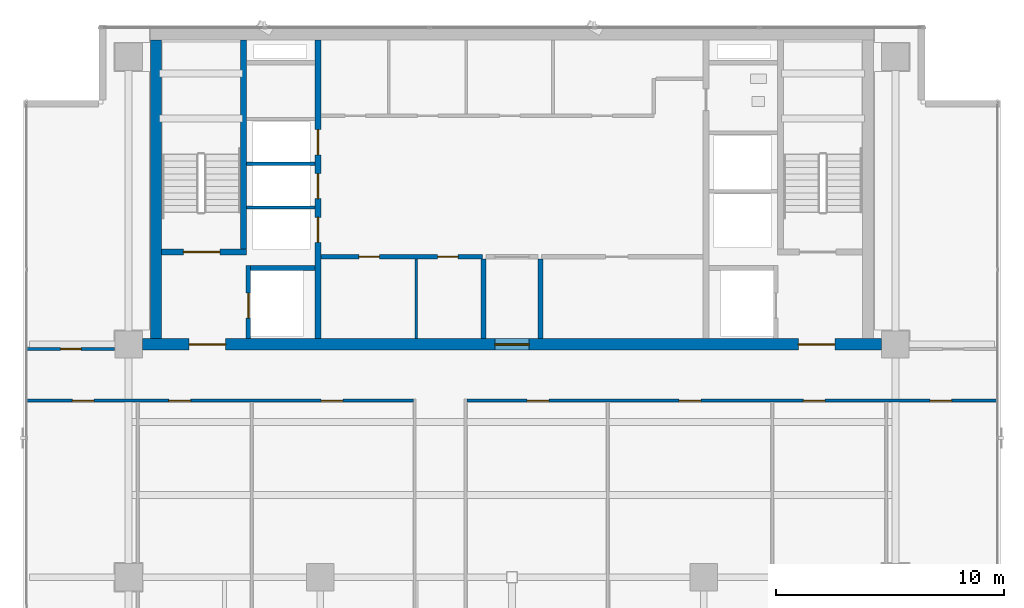
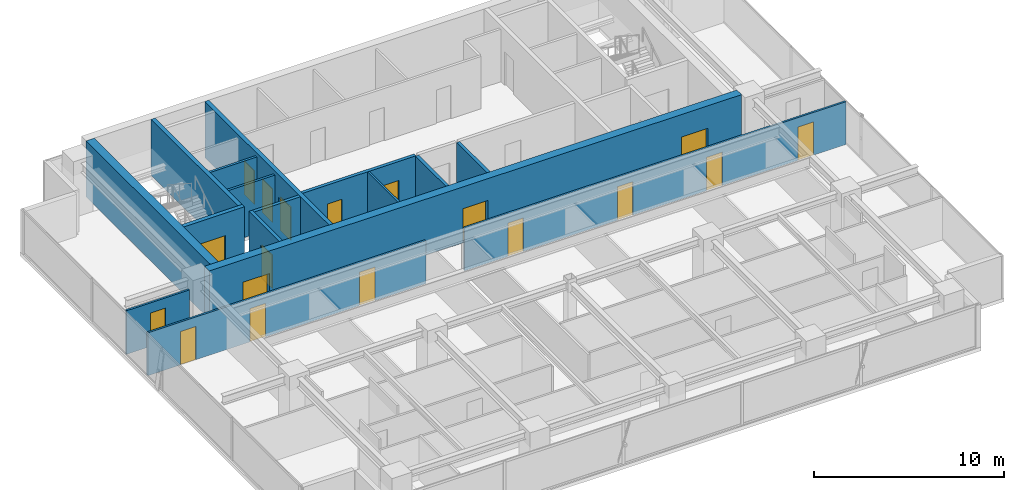
# One storey, part 16 of 23: 18 doors, 16 walls, 18 openings.
"""IFC4 building model written with IfcOpenShell, lengths in metres."""

from ifc_helpers import new_model, si_unit, direction, frame, frame_2d, origin, place, context, subcontext, project, spatial, rectangle, extrude, source, transform, mapped, material, layer, layer_set, type_object, element, fill, save


model = new_model("IFC4")

# Units and contexts
model_context = context("Model", 3, precision=1e-05, world=origin(), true_north=direction((0.0, 1.0)))
body_context = subcontext(model_context, "Body", "Model", "MODEL_VIEW")
ifc_project = project(units=[si_unit("LENGTHUNIT", "METRE"), si_unit("AREAUNIT", "SQUARE_METRE"), si_unit("VOLUMEUNIT", "CUBIC_METRE"), si_unit("PLANEANGLEUNIT", "RADIAN"), si_unit("MASSUNIT", "GRAM", prefix="KILO")], contexts=[model_context])

# Site, building, storey
site_placement = place(None, origin())
site = spatial("IfcSite", under=ifc_project, at=site_placement, CompositionType="ELEMENT")
building_placement = place(site_placement, origin())
building = spatial("IfcBuilding", under=site, at=building_placement, Name="Sumidabori Civic Tower", CompositionType="ELEMENT")
storey_placement = place(building_placement, frame((0.0, 0.0, 275.60009765625)))
storey = spatial("IfcBuildingStorey", under=building, at=storey_placement, Name="L72", CompositionType="ELEMENT", Elevation=275.60009765625)

# Walls
ifc_material_1 = material(Name="Concrete C50/60", Category="concrete")
ifc_layer_1 = layer(ifc_material_1, 0.199951171875, Name="Concrete C50/60")
ifc_layer_set_1 = layer_set([ifc_layer_1], Name="Concrete C50/60")
wall_type_1 = type_object("IfcWallType", Name="WL-SHAFT-200", PredefinedType="SHEAR", material=ifc_layer_set_1)
shared_shape_1 = source(origin(), body_context, "Body", "SweptSolid", [
    extrude(rectangle(XDim=2.824951171875, YDim=0.199951171875, at=frame_2d((1.41259765625, 0.0))), origin(), (0.0, 0.0, 1.0), 3.599853515625),
])
wall_1_placement = place(storey_placement, frame((-11.449951171875, 13.550048828125, 0.0), z_axis=(0.0, 0.0, 1.0), x_axis=(1.0, 0.0, 0.0)))
element("IfcWall", 1, at=wall_1_placement, inside=storey, type_object=wall_type_1, Name="Core Shear Wall L72 EL1-N", PredefinedType="SHEAR", context=body_context, shape_type="MappedRepresentation", body=[
    mapped(shared_shape_1, transform((0.0, 0.0, 0.0), x_axis=(1.0, 0.0, 0.0), y_axis=(0.0, 1.0, 0.0), z_axis=(0.0, 0.0, 1.0), scale=1.0)),
])
ifc_layer_2 = layer(ifc_material_1, 0.5, Name="Concrete C50/60")
ifc_layer_set_2 = layer_set([ifc_layer_2], Name="Concrete C50/60")
wall_type_2 = type_object("IfcWallType", Name="WL-CORE-500", PredefinedType="SHEAR", material=ifc_layer_set_2)
shared_shape_2 = source(origin(), body_context, "Body", "SweptSolid", [
    extrude(rectangle(XDim=13.10009765625, YDim=0.5, at=frame_2d((6.550048828125, 0.0))), origin(), (0.0, 0.0, 1.0), 3.599853515625),
])
wall_2_placement = place(storey_placement, frame((-15.60009765625, 10.449951171875, 0.0), z_axis=(0.0, 0.0, 1.0), x_axis=(0.0, 1.0, 0.0)))
element("IfcWall", 2, at=wall_2_placement, inside=storey, type_object=wall_type_2, Name="Core Shear Wall L72 W", PredefinedType="SHEAR", context=body_context, shape_type="MappedRepresentation", body=[
    mapped(shared_shape_2, transform((0.0, 0.0, 0.0), x_axis=(1.0, 0.0, 0.0), y_axis=(0.0, 1.0, 0.0), z_axis=(0.0, 0.0, 1.0), scale=1.0)),
])

# Wall, openings, doors
ifc_layer_3 = layer(ifc_material_1, 0.25, Name="Concrete C50/60")
ifc_layer_set_3 = layer_set([ifc_layer_3], Name="Concrete C50/60")
wall_type_3 = type_object("IfcWallType", Name="WL-SHAFT-250", PredefinedType="SHEAR", material=ifc_layer_set_3)
shared_shape_3 = source(origin(), body_context, "Body", "SweptSolid", [
    extrude(rectangle(XDim=13.10009765625, YDim=0.25, at=frame_2d((6.550048828125, 0.0))), origin(), (0.0, 0.0, 1.0), 3.599853515625),
])
wall_3_placement = place(storey_placement, frame((-8.5, 10.449951171875, 0.0), z_axis=(0.0, 0.0, 1.0), x_axis=(0.0, 1.0, 0.0)))
wall_3 = element("IfcWall", 3, at=wall_3_placement, inside=storey, type_object=wall_type_3, Name="Core Shear Wall L72 WEB-W", PredefinedType="SHEAR", context=body_context, shape_type="MappedRepresentation", body=[
    mapped(shared_shape_3, transform((0.0, 0.0, 0.0), x_axis=(1.0, 0.0, 0.0), y_axis=(0.0, 1.0, 0.0), z_axis=(0.0, 0.0, 1.0), scale=1.0)),
])
opening_1_placement = place(wall_3_placement, frame((4.219970703125, 0.0, 0.0)))
opening_1 = element("IfcOpeningElement", 4, at=opening_1_placement, cuts=wall_3, Name="Opening LD-1", PredefinedType="OPENING", context=body_context, shape_type="SweptSolid", body=[
    extrude(rectangle(XDim=1.10009765625, YDim=2.14990234375, at=frame_2d((0.550048828125, 1.074951171875))), frame((0.0, 0.136962890625, 0.0), z_axis=(0.0, -1.0, 0.0), x_axis=(1.0, 0.0, 0.0)), (0.0, 0.0, 1.0), 0.27392578125),
])
opening_2_placement = place(wall_3_placement, frame((6.139892578125, 0.0, 0.0)))
opening_2 = element("IfcOpeningElement", 5, at=opening_2_placement, cuts=wall_3, Name="Opening LD-1", PredefinedType="OPENING", context=body_context, shape_type="SweptSolid", body=[
    extrude(rectangle(XDim=1.10009765625, YDim=2.14990234375, at=frame_2d((0.550048828125, 1.074951171875))), frame((0.0, 0.136962890625, 0.0), z_axis=(0.0, -1.0, 0.0), x_axis=(1.0, 0.0, 0.0)), (0.0, 0.0, 1.0), 0.27392578125),
])
opening_3_placement = place(wall_3_placement, frame((8.06005859375, 0.0, 0.0)))
opening_3 = element("IfcOpeningElement", 6, at=opening_3_placement, cuts=wall_3, Name="Opening LD-1", PredefinedType="OPENING", context=body_context, shape_type="SweptSolid", body=[
    extrude(rectangle(XDim=1.10009765625, YDim=2.14990234375, at=frame_2d((0.550048828125, 1.074951171875))), frame((0.0, 0.136962890625, 0.0), z_axis=(0.0, -1.0, 0.0), x_axis=(1.0, 0.0, 0.0)), (0.0, 0.0, 1.0), 0.27392578125),
])
ifc_material_2 = material(Name="Stainless Steel Hairline Finish", Category="steel")
door_type_1 = type_object("IfcDoorType", Name="DR-LD1", OperationType="DOUBLE_DOOR_SLIDING", PredefinedType="DOOR", material=ifc_material_2)
shared_shape_4 = source(origin(), body_context, "Body", "SweptSolid", [
    extrude(rectangle(XDim=1.10009765625, YDim=2.14990234375, at=frame_2d((0.550048828125, 1.074951171875))), frame((0.0, 0.02490234375, 0.0), z_axis=(0.0, -1.0, 0.0), x_axis=(1.0, 0.0, 0.0)), (0.0, 0.0, 1.0), 0.050048828125),
])
door_1_placement = place(opening_1_placement, origin())
door_1 = element("IfcDoor", 7, at=door_1_placement, inside=storey, type_object=door_type_1, Name="Door DR:L72:LD-PLH1", OperationType="DOUBLE_DOOR_SLIDING", OverallHeight=2.14990234375, OverallWidth=1.10009765625, PredefinedType="DOOR", context=body_context, shape_type="MappedRepresentation", body=[
    mapped(shared_shape_4, transform((0.0, 0.0, 0.0), x_axis=(1.0, 0.0, 0.0), y_axis=(0.0, 1.0, 0.0), z_axis=(0.0, 0.0, 1.0), scale=1.0)),
])
fill(opening_1, door_1)
door_2_placement = place(opening_2_placement, origin())
door_2 = element("IfcDoor", 8, at=door_2_placement, inside=storey, type_object=door_type_1, Name="Door DR:L72:LD-PLH2", OperationType="DOUBLE_DOOR_SLIDING", OverallHeight=2.14990234375, OverallWidth=1.10009765625, PredefinedType="DOOR", context=body_context, shape_type="MappedRepresentation", body=[
    mapped(shared_shape_4, transform((0.0, 0.0, 0.0), x_axis=(1.0, 0.0, 0.0), y_axis=(0.0, 1.0, 0.0), z_axis=(0.0, 0.0, 1.0), scale=1.0)),
])
fill(opening_2, door_2)
door_3_placement = place(opening_3_placement, origin())
door_3 = element("IfcDoor", 9, at=door_3_placement, inside=storey, type_object=door_type_1, Name="Door DR:L72:LD-PLH3", OperationType="DOUBLE_DOOR_SLIDING", OverallHeight=2.14990234375, OverallWidth=1.10009765625, PredefinedType="DOOR", context=body_context, shape_type="MappedRepresentation", body=[
    mapped(shared_shape_4, transform((0.0, 0.0, 0.0), x_axis=(1.0, 0.0, 0.0), y_axis=(0.0, 1.0, 0.0), z_axis=(0.0, 0.0, 1.0), scale=1.0)),
])
fill(opening_3, door_3)

# Wall, opening, door
shared_shape_5 = source(origin(), body_context, "Body", "SweptSolid", [
    extrude(rectangle(XDim=3.705078125, YDim=0.25, at=frame_2d((1.8525390625, 0.0))), origin(), (0.0, 0.0, 1.0), 3.599853515625),
])
wall_4_placement = place(storey_placement, frame((-15.35009765625, 14.25, 0.0), z_axis=(0.0, 0.0, 1.0), x_axis=(1.0, 0.0, 0.0)))
wall_4 = element("IfcWall", 10, at=wall_4_placement, inside=storey, type_object=wall_type_3, Name="Core Shear Wall L72 ST1-S", PredefinedType="SHEAR", context=body_context, shape_type="MappedRepresentation", body=[
    mapped(shared_shape_5, transform((0.0, 0.0, 0.0), x_axis=(1.0, 0.0, 0.0), y_axis=(0.0, 1.0, 0.0), z_axis=(0.0, 0.0, 1.0), scale=1.0)),
])
opening_4_placement = place(wall_4_placement, frame((0.949951171875, 0.0, 0.0)))
opening_4 = element("IfcOpeningElement", 11, at=opening_4_placement, cuts=wall_4, Name="Opening DR-FD4", PredefinedType="OPENING", context=body_context, shape_type="SweptSolid", body=[
    extrude(rectangle(XDim=1.60009765625, YDim=2.14990234375, at=frame_2d((0.800048828125, 1.074951171875))), frame((0.0, 0.136962890625, 0.0), z_axis=(0.0, -1.0, 0.0), x_axis=(1.0, 0.0, 0.0)), (0.0, 0.0, 1.0), 0.27392578125),
])
ifc_material_3 = material(Name="Steel SN490", Category="steel")
door_type_2 = type_object("IfcDoorType", Name="DR-FD4", OperationType="DOUBLE_DOOR_SINGLE_SWING", PredefinedType="DOOR", material=ifc_material_3)
shared_shape_6 = source(origin(), body_context, "Body", "SweptSolid", [
    extrude(rectangle(XDim=1.60009765625, YDim=2.14990234375, at=frame_2d((0.800048828125, 1.074951171875))), frame((0.0, 0.02490234375, 0.0), z_axis=(0.0, -1.0, 0.0), x_axis=(1.0, 0.0, 0.0)), (0.0, 0.0, 1.0), 0.050048828125),
])
door_4_placement = place(opening_4_placement, origin())
door_4 = element("IfcDoor", 12, at=door_4_placement, inside=storey, type_object=door_type_2, Name="Door DR:L72:ST1", OperationType="DOUBLE_DOOR_SINGLE_SWING", OverallHeight=2.14990234375, OverallWidth=1.60009765625, PredefinedType="DOOR", context=body_context, shape_type="MappedRepresentation", body=[
    mapped(shared_shape_6, transform((0.0, 0.0, 0.0), x_axis=(1.0, 0.0, 0.0), y_axis=(0.0, 1.0, 0.0), z_axis=(0.0, 0.0, 1.0), scale=1.0)),
])
fill(opening_4, door_4)

# Wall
shared_shape_7 = source(origin(), body_context, "Body", "SweptSolid", [
    extrude(rectangle(XDim=9.175048828125, YDim=0.25, at=frame_2d((4.58740234375, 0.0))), origin(), (0.0, 0.0, 1.0), 3.599853515625),
])
wall_5_placement = place(storey_placement, frame((-11.77001953125, 14.375, 0.0), z_axis=(0.0, 0.0, 1.0), x_axis=(0.0, 1.0, 0.0)))
element("IfcWall", 13, at=wall_5_placement, inside=storey, type_object=wall_type_3, Name="Core Shear Wall L72 ST1-E", PredefinedType="SHEAR", context=body_context, shape_type="MappedRepresentation", body=[
    mapped(shared_shape_7, transform((0.0, 0.0, 0.0), x_axis=(1.0, 0.0, 0.0), y_axis=(0.0, 1.0, 0.0), z_axis=(0.0, 0.0, 1.0), scale=1.0)),
])

# Wall, opening, door
shared_shape_8 = source(origin(), body_context, "Body", "SweptSolid", [
    extrude(rectangle(XDim=3.199951171875, YDim=0.199951171875, at=frame_2d((1.60009765625, 0.0))), origin(), (0.0, 0.0, 1.0), 3.599853515625),
])
wall_6_placement = place(storey_placement, frame((-11.550048828125, 10.449951171875, 0.0), z_axis=(0.0, 0.0, 1.0), x_axis=(0.0, 1.0, 0.0)))
wall_6 = element("IfcWall", 14, at=wall_6_placement, inside=storey, type_object=wall_type_1, Name="Core Shear Wall L72 EL1-W", PredefinedType="SHEAR", context=body_context, shape_type="MappedRepresentation", body=[
    mapped(shared_shape_8, transform((0.0, 0.0, 0.0), x_axis=(1.0, 0.0, 0.0), y_axis=(0.0, 1.0, 0.0), z_axis=(0.0, 0.0, 1.0), scale=1.0)),
])
opening_5_placement = place(wall_6_placement, frame((0.89990234375, 0.0, 0.0)))
opening_5 = element("IfcOpeningElement", 15, at=opening_5_placement, cuts=wall_6, Name="Opening LD-2", PredefinedType="OPENING", context=body_context, shape_type="SweptSolid", body=[
    extrude(rectangle(XDim=1.10009765625, YDim=2.14990234375, at=frame_2d((0.550048828125, 1.074951171875))), frame((0.0, 0.11181640625, 0.0), z_axis=(0.0, -1.0, 0.0), x_axis=(1.0, 0.0, 0.0)), (0.0, 0.0, 1.0), 0.223876953125),
])
door_type_3 = type_object("IfcDoorType", Name="DR-LD2", OperationType="DOUBLE_DOOR_SLIDING", PredefinedType="DOOR", material=ifc_material_2)
door_5_placement = place(opening_5_placement, origin())
door_5 = element("IfcDoor", 16, at=door_5_placement, inside=storey, type_object=door_type_3, Name="Door DR:L72:LD-EL1", OperationType="DOUBLE_DOOR_SLIDING", OverallHeight=2.14990234375, OverallWidth=1.10009765625, PredefinedType="DOOR", context=body_context, shape_type="MappedRepresentation", body=[
    mapped(shared_shape_4, transform((0.0, 0.0, 0.0), x_axis=(1.0, 0.0, 0.0), y_axis=(0.0, 1.0, 0.0), z_axis=(0.0, 0.0, 1.0), scale=1.0)),
])
fill(opening_5, door_5)

# Wall, openings, doors
shared_shape_9 = source(origin(), body_context, "Body", "SweptSolid", [
    extrude(rectangle(XDim=32.39990234375, YDim=0.5, at=frame_2d((16.199951171875, 0.0))), origin(), (0.0, 0.0, 1.0), 3.599853515625),
])
wall_7_placement = place(storey_placement, frame((-16.199951171875, 10.199951171875, 0.0), z_axis=(0.0, 0.0, 1.0), x_axis=(1.0, 0.0, 0.0)))
wall_7 = element("IfcWall", 17, at=wall_7_placement, inside=storey, type_object=wall_type_2, Name="Core Shear Wall L72 S", PredefinedType="SHEAR", context=body_context, shape_type="MappedRepresentation", body=[
    mapped(shared_shape_9, transform((0.0, 0.0, 0.0), x_axis=(1.0, 0.0, 0.0), y_axis=(0.0, 1.0, 0.0), z_axis=(0.0, 0.0, 1.0), scale=1.0)),
])
opening_6_placement = place(wall_7_placement, frame((2.050048828125, 0.0, 0.0)))
opening_6 = element("IfcOpeningElement", 18, at=opening_6_placement, cuts=wall_7, Name="Opening DR-FD4", PredefinedType="OPENING", context=body_context, shape_type="SweptSolid", body=[
    extrude(rectangle(XDim=1.60009765625, YDim=2.14990234375, at=frame_2d((0.800048828125, 1.074951171875))), frame((0.0, 0.261962890625, 0.0), z_axis=(0.0, -1.0, 0.0), x_axis=(1.0, 0.0, 0.0)), (0.0, 0.0, 1.0), 0.52392578125),
])
opening_7_placement = place(wall_7_placement, frame((28.75, 0.0, 0.0)))
opening_7 = element("IfcOpeningElement", 19, at=opening_7_placement, cuts=wall_7, Name="Opening DR-FD4", PredefinedType="OPENING", context=body_context, shape_type="SweptSolid", body=[
    extrude(rectangle(XDim=1.60009765625, YDim=2.14990234375, at=frame_2d((0.800048828125, 1.074951171875))), frame((0.0, 0.261962890625, 0.0), z_axis=(0.0, -1.0, 0.0), x_axis=(1.0, 0.0, 0.0)), (0.0, 0.0, 1.0), 0.52392578125),
])
opening_8_placement = place(wall_7_placement, frame((15.449951171875, 0.0, 0.0)))
opening_8 = element("IfcOpeningElement", 20, at=opening_8_placement, cuts=wall_7, Name="Opening DR-FD3", PredefinedType="OPENING", context=body_context, shape_type="SweptSolid", body=[
    extrude(rectangle(XDim=1.5, YDim=2.199951171875, at=frame_2d((0.75, 1.10009765625))), frame((0.0, 0.261962890625, 0.0), z_axis=(0.0, -1.0, 0.0), x_axis=(1.0, 0.0, 0.0)), (0.0, 0.0, 1.0), 0.52392578125),
])
door_6_placement = place(opening_6_placement, origin())
door_6 = element("IfcDoor", 21, at=door_6_placement, inside=storey, type_object=door_type_2, Name="Door DR:L72:ELOB-W", OperationType="DOUBLE_DOOR_SINGLE_SWING", OverallHeight=2.14990234375, OverallWidth=1.60009765625, PredefinedType="DOOR", context=body_context, shape_type="MappedRepresentation", body=[
    mapped(shared_shape_6, transform((0.0, 0.0, 0.0), x_axis=(1.0, 0.0, 0.0), y_axis=(0.0, 1.0, 0.0), z_axis=(0.0, 0.0, 1.0), scale=1.0)),
])
fill(opening_6, door_6)
door_7_placement = place(opening_7_placement, origin())
door_7 = element("IfcDoor", 22, at=door_7_placement, inside=storey, type_object=door_type_2, Name="Door DR:L72:ELOB-E", OperationType="DOUBLE_DOOR_SINGLE_SWING", OverallHeight=2.14990234375, OverallWidth=1.60009765625, PredefinedType="DOOR", context=body_context, shape_type="MappedRepresentation", body=[
    mapped(shared_shape_6, transform((0.0, 0.0, 0.0), x_axis=(1.0, 0.0, 0.0), y_axis=(0.0, 1.0, 0.0), z_axis=(0.0, 0.0, 1.0), scale=1.0)),
])
fill(opening_7, door_7)
door_type_4 = type_object("IfcDoorType", Name="DR-FD-DBL", OperationType="DOUBLE_DOOR_SINGLE_SWING", PredefinedType="DOOR", material=ifc_material_3)
shared_shape_10 = source(origin(), body_context, "Body", "SweptSolid", [
    extrude(rectangle(XDim=1.5, YDim=2.199951171875, at=frame_2d((0.75, 1.10009765625))), frame((0.0, 0.02490234375, 0.0), z_axis=(0.0, -1.0, 0.0), x_axis=(1.0, 0.0, 0.0)), (0.0, 0.0, 1.0), 0.050048828125),
])
door_8_placement = place(opening_8_placement, origin())
door_8 = element("IfcDoor", 23, at=door_8_placement, inside=storey, type_object=door_type_4, Name="Door DR:L72:THROAT-OUT", OperationType="DOUBLE_DOOR_SINGLE_SWING", OverallHeight=2.199951171875, OverallWidth=1.5, PredefinedType="DOOR", context=body_context, shape_type="MappedRepresentation", body=[
    mapped(shared_shape_10, transform((0.0, 0.0, 0.0), x_axis=(1.0, 0.0, 0.0), y_axis=(0.0, 1.0, 0.0), z_axis=(0.0, 0.0, 1.0), scale=1.0)),
])
fill(opening_8, door_8)

# Walls
ifc_material_4 = material(Name="Gypsum Plasterboard Acoustic Partition")
ifc_layer_4 = layer(ifc_material_4, 0.14990234375, Name="Gypsum Plasterboard Acoustic Partition")
ifc_layer_set_4 = layer_set([ifc_layer_4], Name="Gypsum Plasterboard Acoustic Partition")
wall_type_4 = type_object("IfcWallType", Name="WL-PART-150", PredefinedType="PARTITIONING", material=ifc_layer_set_4)
shared_shape_11 = source(origin(), body_context, "Body", "SweptSolid", [
    extrude(rectangle(XDim=3.010009765625, YDim=0.14990234375, at=frame_2d((1.5048828125, 0.0))), origin(), (0.0, 0.0, 1.0), 3.369873046875),
])
for number, where, z_axis, x_axis, name in (
    (24, (-11.639892578125, 16.199951171875, 0.0), (0.0, 0.0, 1.0), (1.0, 0.0, 0.0), "Interior Partition WL:L72:DIV-PLH1"),
    (25, (-11.639892578125, 18.1201171875, 0.0), (0.0, 0.0, 1.0), (1.0, 0.0, 0.0), "Interior Partition WL:L72:DIV-PLH2"),
):
    element("IfcWall", number, at=place(storey_placement, frame(where, z_axis=z_axis, x_axis=x_axis)), inside=storey, type_object=wall_type_4, Name=name, PredefinedType="PARTITIONING", context=body_context, shape_type="MappedRepresentation", body=[
        mapped(shared_shape_11, transform((0.0, 0.0, 0.0), x_axis=(1.0, 0.0, 0.0), y_axis=(0.0, 1.0, 0.0), z_axis=(0.0, 0.0, 1.0), scale=1.0)),
    ])

# Wall, openings, doors
ifc_material_5 = material(Name="Gypsum Plasterboard Fire Partition")
ifc_layer_5 = layer(ifc_material_5, 0.199951171875, Name="Gypsum Plasterboard Fire Partition")
ifc_layer_set_5 = layer_set([ifc_layer_5], Name="Gypsum Plasterboard Fire Partition")
wall_type_5 = type_object("IfcWallType", Name="WL-PART-FIRE", PredefinedType="PARTITIONING", material=ifc_layer_set_5)
shared_shape_12 = source(origin(), body_context, "Body", "SweptSolid", [
    extrude(rectangle(XDim=7.070068359375, YDim=0.199951171875, at=frame_2d((3.53515625, 0.0))), origin(), (0.0, 0.0, 1.0), 3.369873046875),
])
wall_8_placement = place(storey_placement, frame((-8.3701171875, 14.050048828125, 0.0), z_axis=(0.0, 0.0, 1.0), x_axis=(1.0, 0.0, 0.0)))
wall_8 = element("IfcWall", 26, at=wall_8_placement, inside=storey, type_object=wall_type_5, Name="Interior Partition WL:L72:CBAND-SW", PredefinedType="PARTITIONING", context=body_context, shape_type="MappedRepresentation", body=[
    mapped(shared_shape_12, transform((0.0, 0.0, 0.0), x_axis=(1.0, 0.0, 0.0), y_axis=(0.0, 1.0, 0.0), z_axis=(0.0, 0.0, 1.0), scale=1.0)),
])
opening_9_placement = place(wall_8_placement, frame((1.659912109375, 0.0, 0.0)))
opening_9 = element("IfcOpeningElement", 27, at=opening_9_placement, cuts=wall_8, Name="Opening DR-1", PredefinedType="OPENING", context=body_context, shape_type="SweptSolid", body=[
    extrude(rectangle(XDim=0.89990234375, YDim=2.14990234375, at=frame_2d((0.449951171875, 1.074951171875))), frame((0.0, 0.11181640625, 0.0), z_axis=(0.0, -1.0, 0.0), x_axis=(1.0, 0.0, 0.0)), (0.0, 0.0, 1.0), 0.223876953125),
])
opening_10_placement = place(wall_8_placement, frame((5.110107421875, 0.0, 0.0)))
opening_10 = element("IfcOpeningElement", 28, at=opening_10_placement, cuts=wall_8, Name="Opening DR-1", PredefinedType="OPENING", context=body_context, shape_type="SweptSolid", body=[
    extrude(rectangle(XDim=0.89990234375, YDim=2.14990234375, at=frame_2d((0.449951171875, 1.074951171875))), frame((0.0, 0.11181640625, 0.0), z_axis=(0.0, -1.0, 0.0), x_axis=(1.0, 0.0, 0.0)), (0.0, 0.0, 1.0), 0.223876953125),
])
ifc_material_6 = material(Name="Japanese Hinoki Timber", Category="wood")
door_type_5 = type_object("IfcDoorType", Name="DR-INT-900", OperationType="NOTDEFINED", PredefinedType="DOOR", material=ifc_material_6)
shared_shape_13 = source(origin(), body_context, "Body", "SweptSolid", [
    extrude(rectangle(XDim=0.89990234375, YDim=2.14990234375, at=frame_2d((0.449951171875, 1.074951171875))), frame((0.0, 0.02490234375, 0.0), z_axis=(0.0, -1.0, 0.0), x_axis=(1.0, 0.0, 0.0)), (0.0, 0.0, 1.0), 0.050048828125),
])
door_9_placement = place(opening_9_placement, origin())
door_9 = element("IfcDoor", 29, at=door_9_placement, inside=storey, type_object=door_type_5, Name="Door DR:L72:REC-B1A", OperationType="SINGLE_SWING_LEFT", OverallHeight=2.14990234375, OverallWidth=0.89990234375, PredefinedType="DOOR", context=body_context, shape_type="MappedRepresentation", body=[
    mapped(shared_shape_13, transform((0.0, 0.0, 0.0), x_axis=(1.0, 0.0, 0.0), y_axis=(0.0, 1.0, 0.0), z_axis=(0.0, 0.0, 1.0), scale=1.0)),
])
fill(opening_9, door_9)
door_10_placement = place(opening_10_placement, origin())
door_10 = element("IfcDoor", 30, at=door_10_placement, inside=storey, type_object=door_type_5, Name="Door DR:L72:REC-B1B", OperationType="SINGLE_SWING_RIGHT", OverallHeight=2.14990234375, OverallWidth=0.89990234375, PredefinedType="DOOR", context=body_context, shape_type="MappedRepresentation", body=[
    mapped(shared_shape_13, transform((0.0, 0.0, 0.0), x_axis=(1.0, 0.0, 0.0), y_axis=(0.0, 1.0, 0.0), z_axis=(0.0, 0.0, 1.0), scale=1.0)),
])
fill(opening_10, door_10)

# Walls
shared_shape_14 = source(origin(), body_context, "Body", "SweptSolid", [
    extrude(rectangle(XDim=3.489990234375, YDim=0.199951171875, at=frame_2d((1.7451171875, 0.0))), origin(), (0.0, 0.0, 1.0), 3.369873046875),
])
for number, where, z_axis, x_axis, name in (
    (31, (-1.25, 10.449951171875, 0.0), (0.0, 0.0, 1.0), (0.0, 1.0, 0.0), "Interior Partition WL:L72:THROAT-W"),
    (32, (1.25, 10.449951171875, 0.0), (0.0, 0.0, 1.0), (0.0, 1.0, 0.0), "Interior Partition WL:L72:THROAT-E"),
):
    element("IfcWall", number, at=place(storey_placement, frame(where, z_axis=z_axis, x_axis=x_axis)), inside=storey, type_object=wall_type_5, Name=name, PredefinedType="PARTITIONING", context=body_context, shape_type="MappedRepresentation", body=[
        mapped(shared_shape_14, transform((0.0, 0.0, 0.0), x_axis=(1.0, 0.0, 0.0), y_axis=(0.0, 1.0, 0.0), z_axis=(0.0, 0.0, 1.0), scale=1.0)),
    ])
ifc_layer_6 = layer(ifc_material_4, 0.1201171875, Name="Gypsum Plasterboard Acoustic Partition")
ifc_layer_set_6 = layer_set([ifc_layer_6], Name="Gypsum Plasterboard Acoustic Partition")
wall_type_6 = type_object("IfcWallType", Name="WL-PART-120", PredefinedType="PARTITIONING", material=ifc_layer_set_6)
shared_shape_15 = source(origin(), body_context, "Body", "SweptSolid", [
    extrude(rectangle(XDim=3.489990234375, YDim=0.1201171875, at=frame_2d((1.7451171875, 0.0))), origin(), (0.0, 0.0, 1.0), 3.369873046875),
])
wall_9_placement = place(storey_placement, frame((-4.199951171875, 10.449951171875, 0.0), z_axis=(0.0, 0.0, 1.0), x_axis=(0.0, 1.0, 0.0)))
element("IfcWall", 33, at=wall_9_placement, inside=storey, type_object=wall_type_6, Name="Interior Partition WL:L72:REC-B1-SP", PredefinedType="PARTITIONING", context=body_context, shape_type="MappedRepresentation", body=[
    mapped(shared_shape_15, transform((0.0, 0.0, 0.0), x_axis=(1.0, 0.0, 0.0), y_axis=(0.0, 1.0, 0.0), z_axis=(0.0, 0.0, 1.0), scale=1.0)),
])

# Wall, opening, door
shared_shape_16 = source(origin(), body_context, "Body", "SweptSolid", [
    extrude(rectangle(XDim=3.840087890625, YDim=0.1201171875, at=frame_2d((1.919921875, 0.0))), origin(), (0.0, 0.0, 1.0), 2.804931640625),
])
wall_10_placement = place(storey_placement, frame((-21.25, 10.0, 0.0), z_axis=(0.0, 0.0, 1.0), x_axis=(1.0, 0.0, 0.0)))
wall_10 = element("IfcWall", 34, at=wall_10_placement, inside=storey, type_object=wall_type_6, Name="Interior Partition WL:L72:FLK-NW", PredefinedType="PARTITIONING", context=body_context, shape_type="MappedRepresentation", body=[
    mapped(shared_shape_16, transform((0.0, 0.0, 0.0), x_axis=(1.0, 0.0, 0.0), y_axis=(0.0, 1.0, 0.0), z_axis=(0.0, 0.0, 1.0), scale=1.0)),
])
opening_11_placement = place(wall_10_placement, frame((1.469970703125, 0.0, 0.0)))
opening_11 = element("IfcOpeningElement", 35, at=opening_11_placement, cuts=wall_10, Name="Opening DR-1", PredefinedType="OPENING", context=body_context, shape_type="SweptSolid", body=[
    extrude(rectangle(XDim=0.89990234375, YDim=2.14990234375, at=frame_2d((0.449951171875, 1.074951171875))), frame((0.0, 0.072021484375, 0.0), z_axis=(0.0, -1.0, 0.0), x_axis=(1.0, 0.0, 0.0)), (0.0, 0.0, 1.0), 0.14404296875),
])
door_11_placement = place(opening_11_placement, origin())
door_11 = element("IfcDoor", 36, at=door_11_placement, inside=storey, type_object=door_type_5, Name="Door DR:L72:FLK-NW", OperationType="SINGLE_SWING_LEFT", OverallHeight=2.14990234375, OverallWidth=0.89990234375, PredefinedType="DOOR", context=body_context, shape_type="MappedRepresentation", body=[
    mapped(shared_shape_13, transform((0.0, 0.0, 0.0), x_axis=(1.0, 0.0, 0.0), y_axis=(0.0, 1.0, 0.0), z_axis=(0.0, 0.0, 1.0), scale=1.0)),
])
fill(opening_11, door_11)

# Wall, openings, doors
shared_shape_17 = source(origin(), body_context, "Body", "SweptSolid", [
    extrude(rectangle(XDim=16.929931640625, YDim=0.1201171875, at=frame_2d((8.46484375, 0.0))), origin(), (0.0, 0.0, 1.0), 2.7548828125),
])
wall_11_placement = place(storey_placement, frame((-21.25, 7.739990234375, 0.0), z_axis=(0.0, 0.0, 1.0), x_axis=(1.0, 0.0, 0.0)))
wall_11 = element("IfcWall", 37, at=wall_11_placement, inside=storey, type_object=wall_type_6, Name="Interior Partition WL:L72:CORR-SW", PredefinedType="PARTITIONING", context=body_context, shape_type="MappedRepresentation", body=[
    mapped(shared_shape_17, transform((0.0, 0.0, 0.0), x_axis=(1.0, 0.0, 0.0), y_axis=(0.0, 1.0, 0.0), z_axis=(0.0, 0.0, 1.0), scale=1.0)),
])
opening_12_placement = place(wall_11_placement, frame((1.97998046875, 0.0, 0.0)))
opening_12 = element("IfcOpeningElement", 38, at=opening_12_placement, cuts=wall_11, Name="Opening DR-2", PredefinedType="OPENING", context=body_context, shape_type="SweptSolid", body=[
    extrude(rectangle(XDim=0.949951171875, YDim=2.14990234375, at=frame_2d((0.47509765625, 1.074951171875))), frame((0.0, 0.072021484375, 0.0), z_axis=(0.0, -1.0, 0.0), x_axis=(1.0, 0.0, 0.0)), (0.0, 0.0, 1.0), 0.14404296875),
])
opening_13_placement = place(wall_11_placement, frame((6.215087890625, 0.0, 0.0)))
opening_13 = element("IfcOpeningElement", 39, at=opening_13_placement, cuts=wall_11, Name="Opening DR-2", PredefinedType="OPENING", context=body_context, shape_type="SweptSolid", body=[
    extrude(rectangle(XDim=0.949951171875, YDim=2.14990234375, at=frame_2d((0.47509765625, 1.074951171875))), frame((0.0, 0.072021484375, 0.0), z_axis=(0.0, -1.0, 0.0), x_axis=(1.0, 0.0, 0.0)), (0.0, 0.0, 1.0), 0.14404296875),
])
opening_14_placement = place(wall_11_placement, frame((12.885009765625, 0.0, 0.0)))
opening_14 = element("IfcOpeningElement", 40, at=opening_14_placement, cuts=wall_11, Name="Opening DR-2", PredefinedType="OPENING", context=body_context, shape_type="SweptSolid", body=[
    extrude(rectangle(XDim=0.949951171875, YDim=2.14990234375, at=frame_2d((0.47509765625, 1.074951171875))), frame((0.0, 0.072021484375, 0.0), z_axis=(0.0, -1.0, 0.0), x_axis=(1.0, 0.0, 0.0)), (0.0, 0.0, 1.0), 0.14404296875),
])
door_type_6 = type_object("IfcDoorType", Name="DR-INT-950", OperationType="NOTDEFINED", PredefinedType="DOOR", material=ifc_material_6)
shared_shape_18 = source(origin(), body_context, "Body", "SweptSolid", [
    extrude(rectangle(XDim=0.949951171875, YDim=2.14990234375, at=frame_2d((0.47509765625, 1.074951171875))), frame((0.0, 0.02490234375, 0.0), z_axis=(0.0, -1.0, 0.0), x_axis=(1.0, 0.0, 0.0)), (0.0, 0.0, 1.0), 0.050048828125),
])
door_12_placement = place(opening_12_placement, origin())
door_12 = element("IfcDoor", 41, at=door_12_placement, inside=storey, type_object=door_type_6, Name="Door DR:L72:D03", OperationType="SINGLE_SWING_LEFT", OverallHeight=2.14990234375, OverallWidth=0.949951171875, PredefinedType="DOOR", context=body_context, shape_type="MappedRepresentation", body=[
    mapped(shared_shape_18, transform((0.0, 0.0, 0.0), x_axis=(1.0, 0.0, 0.0), y_axis=(0.0, 1.0, 0.0), z_axis=(0.0, 0.0, 1.0), scale=1.0)),
])
fill(opening_12, door_12)
door_13_placement = place(opening_13_placement, origin())
door_13 = element("IfcDoor", 42, at=door_13_placement, inside=storey, type_object=door_type_6, Name="Door DR:L72:D04", OperationType="SINGLE_SWING_RIGHT", OverallHeight=2.14990234375, OverallWidth=0.949951171875, PredefinedType="DOOR", context=body_context, shape_type="MappedRepresentation", body=[
    mapped(shared_shape_18, transform((0.0, 0.0, 0.0), x_axis=(1.0, 0.0, 0.0), y_axis=(0.0, 1.0, 0.0), z_axis=(0.0, 0.0, 1.0), scale=1.0)),
])
fill(opening_13, door_13)
door_14_placement = place(opening_14_placement, origin())
door_14 = element("IfcDoor", 43, at=door_14_placement, inside=storey, type_object=door_type_6, Name="Door DR:L72:D05", OperationType="SINGLE_SWING_LEFT", OverallHeight=2.14990234375, OverallWidth=0.949951171875, PredefinedType="DOOR", context=body_context, shape_type="MappedRepresentation", body=[
    mapped(shared_shape_18, transform((0.0, 0.0, 0.0), x_axis=(1.0, 0.0, 0.0), y_axis=(0.0, 1.0, 0.0), z_axis=(0.0, 0.0, 1.0), scale=1.0)),
])
fill(opening_14, door_14)

shared_shape_19 = source(origin(), body_context, "Body", "SweptSolid", [
    extrude(rectangle(XDim=23.22998046875, YDim=0.1201171875, at=frame_2d((11.614990234375, 0.0))), origin(), (0.0, 0.0, 1.0), 2.7548828125),
])
wall_12_placement = place(storey_placement, frame((-1.97998046875, 7.739990234375, 0.0), z_axis=(0.0, 0.0, 1.0), x_axis=(1.0, 0.0, 0.0)))
wall_12 = element("IfcWall", 44, at=wall_12_placement, inside=storey, type_object=wall_type_6, Name="Interior Partition WL:L72:CORR-SE", PredefinedType="PARTITIONING", context=body_context, shape_type="MappedRepresentation", body=[
    mapped(shared_shape_19, transform((0.0, 0.0, 0.0), x_axis=(1.0, 0.0, 0.0), y_axis=(0.0, 1.0, 0.0), z_axis=(0.0, 0.0, 1.0), scale=1.0)),
])
opening_15_placement = place(wall_12_placement, frame((2.64501953125, 0.0, 0.0)))
opening_15 = element("IfcOpeningElement", 45, at=opening_15_placement, cuts=wall_12, Name="Opening DR-2", PredefinedType="OPENING", context=body_context, shape_type="SweptSolid", body=[
    extrude(rectangle(XDim=0.949951171875, YDim=2.14990234375, at=frame_2d((0.47509765625, 1.074951171875))), frame((0.0, 0.072021484375, 0.0), z_axis=(0.0, -1.0, 0.0), x_axis=(1.0, 0.0, 0.0)), (0.0, 0.0, 1.0), 0.14404296875),
])
opening_16_placement = place(wall_12_placement, frame((9.304931640625, 0.0, 0.0)))
opening_16 = element("IfcOpeningElement", 46, at=opening_16_placement, cuts=wall_12, Name="Opening DR-2", PredefinedType="OPENING", context=body_context, shape_type="SweptSolid", body=[
    extrude(rectangle(XDim=0.949951171875, YDim=2.14990234375, at=frame_2d((0.47509765625, 1.074951171875))), frame((0.0, 0.072021484375, 0.0), z_axis=(0.0, -1.0, 0.0), x_axis=(1.0, 0.0, 0.0)), (0.0, 0.0, 1.0), 0.14404296875),
])
opening_17_placement = place(wall_12_placement, frame((14.7451171875, 0.0, 0.0)))
opening_17 = element("IfcOpeningElement", 47, at=opening_17_placement, cuts=wall_12, Name="Opening DR-2", PredefinedType="OPENING", context=body_context, shape_type="SweptSolid", body=[
    extrude(rectangle(XDim=0.949951171875, YDim=2.14990234375, at=frame_2d((0.47509765625, 1.074951171875))), frame((0.0, 0.072021484375, 0.0), z_axis=(0.0, -1.0, 0.0), x_axis=(1.0, 0.0, 0.0)), (0.0, 0.0, 1.0), 0.14404296875),
])
opening_18_placement = place(wall_12_placement, frame((20.300048828125, 0.0, 0.0)))
opening_18 = element("IfcOpeningElement", 48, at=opening_18_placement, cuts=wall_12, Name="Opening DR-2", PredefinedType="OPENING", context=body_context, shape_type="SweptSolid", body=[
    extrude(rectangle(XDim=0.949951171875, YDim=2.14990234375, at=frame_2d((0.47509765625, 1.074951171875))), frame((0.0, 0.072021484375, 0.0), z_axis=(0.0, -1.0, 0.0), x_axis=(1.0, 0.0, 0.0)), (0.0, 0.0, 1.0), 0.14404296875),
])
door_15_placement = place(opening_15_placement, origin())
door_15 = element("IfcDoor", 49, at=door_15_placement, inside=storey, type_object=door_type_6, Name="Door DR:L72:D06", OperationType="SINGLE_SWING_RIGHT", OverallHeight=2.14990234375, OverallWidth=0.949951171875, PredefinedType="DOOR", context=body_context, shape_type="MappedRepresentation", body=[
    mapped(shared_shape_18, transform((0.0, 0.0, 0.0), x_axis=(1.0, 0.0, 0.0), y_axis=(0.0, 1.0, 0.0), z_axis=(0.0, 0.0, 1.0), scale=1.0)),
])
fill(opening_15, door_15)
door_16_placement = place(opening_16_placement, origin())
door_16 = element("IfcDoor", 50, at=door_16_placement, inside=storey, type_object=door_type_6, Name="Door DR:L72:D07", OperationType="SINGLE_SWING_LEFT", OverallHeight=2.14990234375, OverallWidth=0.949951171875, PredefinedType="DOOR", context=body_context, shape_type="MappedRepresentation", body=[
    mapped(shared_shape_18, transform((0.0, 0.0, 0.0), x_axis=(1.0, 0.0, 0.0), y_axis=(0.0, 1.0, 0.0), z_axis=(0.0, 0.0, 1.0), scale=1.0)),
])
fill(opening_16, door_16)
door_17_placement = place(opening_17_placement, origin())
door_17 = element("IfcDoor", 51, at=door_17_placement, inside=storey, type_object=door_type_6, Name="Door DR:L72:D08", OperationType="SINGLE_SWING_RIGHT", OverallHeight=2.14990234375, OverallWidth=0.949951171875, PredefinedType="DOOR", context=body_context, shape_type="MappedRepresentation", body=[
    mapped(shared_shape_18, transform((0.0, 0.0, 0.0), x_axis=(1.0, 0.0, 0.0), y_axis=(0.0, 1.0, 0.0), z_axis=(0.0, 0.0, 1.0), scale=1.0)),
])
fill(opening_17, door_17)
door_18_placement = place(opening_18_placement, origin())
door_18 = element("IfcDoor", 52, at=door_18_placement, inside=storey, type_object=door_type_6, Name="Door DR:L72:D09", OperationType="SINGLE_SWING_LEFT", OverallHeight=2.14990234375, OverallWidth=0.949951171875, PredefinedType="DOOR", context=body_context, shape_type="MappedRepresentation", body=[
    mapped(shared_shape_18, transform((0.0, 0.0, 0.0), x_axis=(1.0, 0.0, 0.0), y_axis=(0.0, 1.0, 0.0), z_axis=(0.0, 0.0, 1.0), scale=1.0)),
])
fill(opening_18, door_18)

save(model, "model.ifc")
